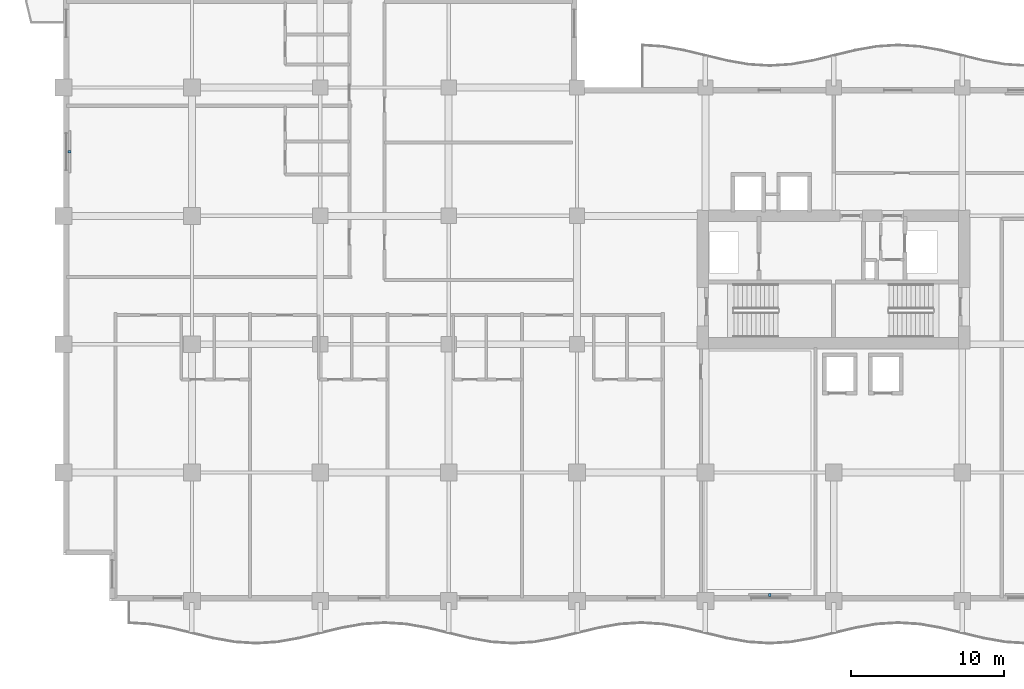
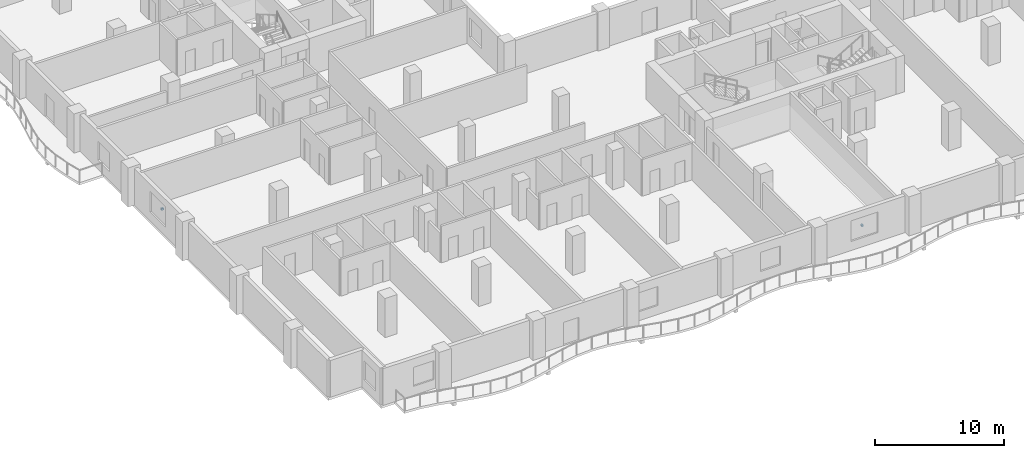
# One storey, part 16 of 22: 2 discrete accessories.
"""IFC4 building model written with IfcOpenShell, lengths in metres."""

from ifc_helpers import new_model, si_unit, direction, frame, origin, origin_2d, place, context, subcontext, project, spatial, rectangle, extrude, material, type_object, element, save


model = new_model("IFC4")

# Units and contexts
model_context = context("Model", 3, precision=1e-05, world=origin(), true_north=direction((0.0, 1.0)))
body_context = subcontext(model_context, "Body", "Model", "MODEL_VIEW")
ifc_project = project(units=[si_unit("LENGTHUNIT", "METRE"), si_unit("AREAUNIT", "SQUARE_METRE"), si_unit("VOLUMEUNIT", "CUBIC_METRE"), si_unit("PLANEANGLEUNIT", "RADIAN"), si_unit("MASSUNIT", "GRAM", prefix="KILO")], contexts=[model_context])

# Site, building, storey
site_placement = place(None, origin())
site = spatial("IfcSite", under=ifc_project, at=site_placement, CompositionType="ELEMENT")
building_placement = place(site_placement, origin())
building = spatial("IfcBuilding", under=site, at=building_placement, Name="Koriwani Terraces Tower", CompositionType="ELEMENT")
storey_placement = place(building_placement, frame((0.0, 0.0, 168.0)))
storey = spatial("IfcBuildingStorey", under=building, at=storey_placement, Name="L40", CompositionType="ELEMENT", Elevation=168.0)

# Discrete accessories
ifc_material = material(Name="Steel ASTM A572 Grade 50", Category="steel")
discrete_accessory_type = type_object("IfcDiscreteAccessoryType", Name="BAGUETTE_STANDOFF_BRACKET", PredefinedType="BRACKET", material=ifc_material)
for number, where, z_axis, x_axis, name in (
    (1, (0.389892578125, 29.39990234375, 1.64501953125), (0.0, 0.0, 1.0), (0.0, 1.0, 0.0), "L40 Terracotta Baguette Bracket (W-9)"),
    (2, (46.199951171875, 0.389892578125, 1.64501953125), (0.0, 0.0, 1.0), (-1.0, 0.0, 0.0), "L40 Terracotta Baguette Bracket (S-15)"),
):
    element("IfcDiscreteAccessory", number, at=place(storey_placement, frame(where, z_axis=z_axis, x_axis=x_axis)), inside=storey, type_object=discrete_accessory_type, Name=name, PredefinedType="BRACKET", context=body_context, shape_type="SweptSolid", body=[
        extrude(rectangle(XDim=0.159912109375, YDim=0.199951171875, at=origin_2d()), origin(), (0.0, 0.0, 1.0), 0.179931640625),
    ])

save(model, "model.ifc")
